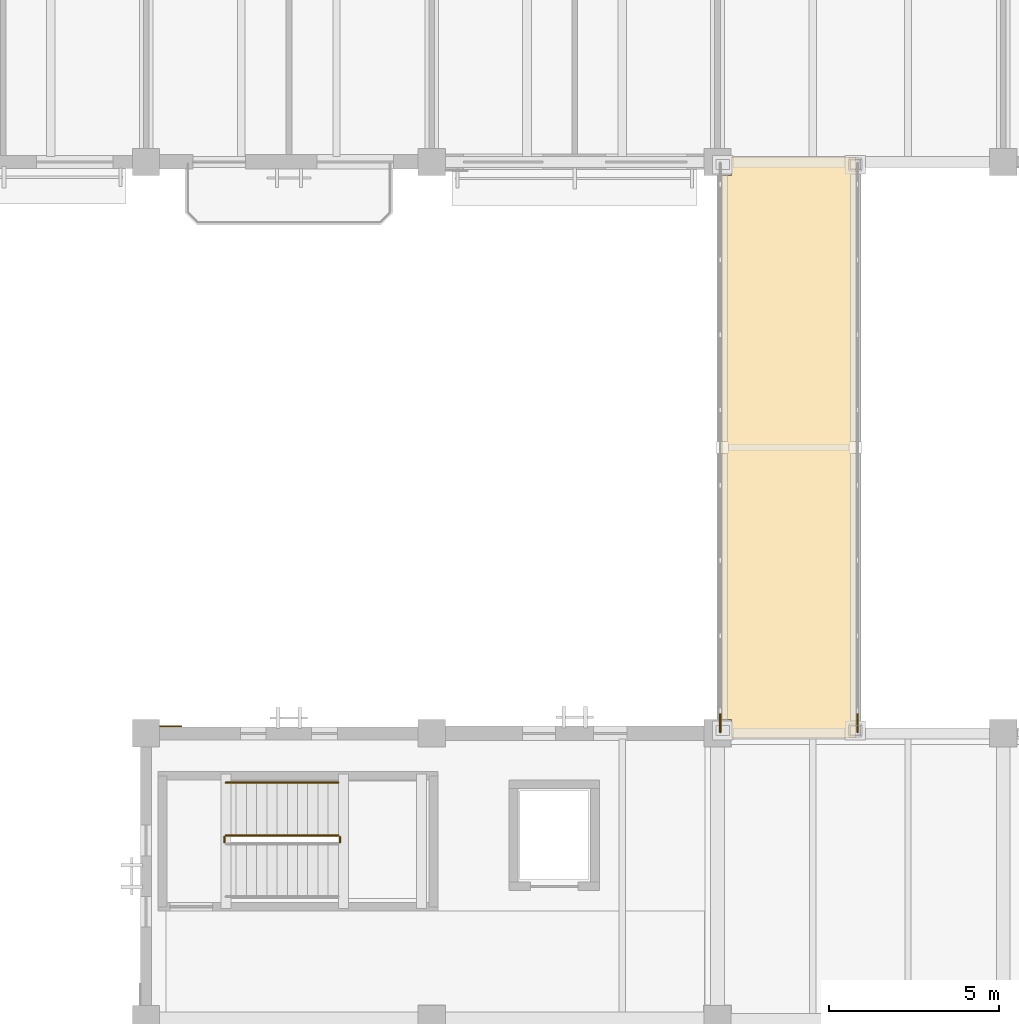
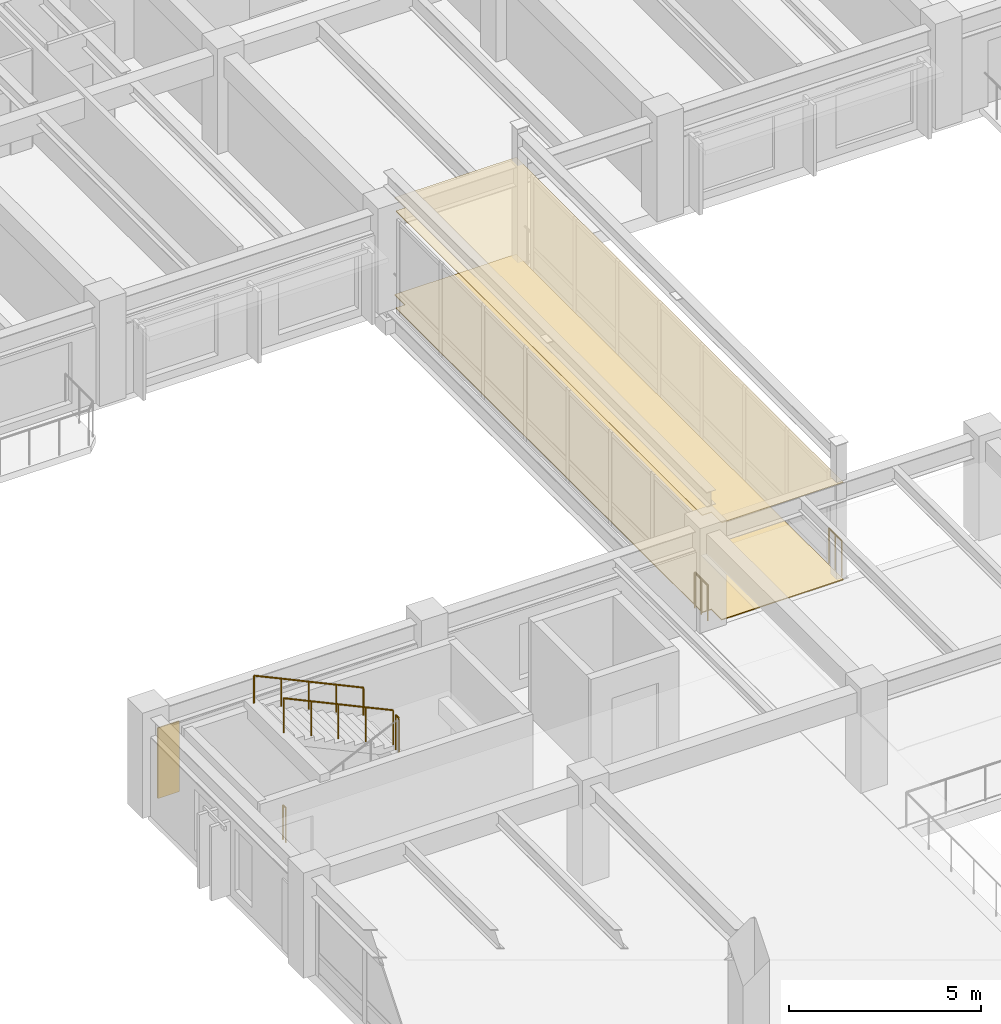
# One storey, part 110 of 123: 6 railings, 3 coverings.
"""IFC4 building model written with IfcOpenShell, lengths in metres."""

from ifc_helpers import new_model, si_unit, direction, frame, origin, origin_2d, place, context, subcontext, project, spatial, polyline, circle, outline, extrude, material, layer, layer_set, type_object, element, save


model = new_model("IFC4")

# Units and contexts
model_context = context("Model", 3, precision=1e-05, world=origin(), true_north=direction((0.0, 1.0)))
body_context = subcontext(model_context, "Body", "Model", "MODEL_VIEW")
ifc_project = project(units=[si_unit("LENGTHUNIT", "METRE"), si_unit("AREAUNIT", "SQUARE_METRE"), si_unit("VOLUMEUNIT", "CUBIC_METRE"), si_unit("PLANEANGLEUNIT", "RADIAN"), si_unit("MASSUNIT", "GRAM", prefix="KILO")], contexts=[model_context])

# Site, building, storey
site_placement = place(None, origin())
site = spatial("IfcSite", under=ifc_project, at=site_placement, CompositionType="ELEMENT")
building_placement = place(site_placement, origin())
building = spatial("IfcBuilding", under=site, at=building_placement, Name="Cumbredor Promenade Congress Hotel", CompositionType="ELEMENT")
storey_placement = place(building_placement, frame((0.0, 0.0, 11.760009765625)))
storey = spatial("IfcBuildingStorey", under=building, at=storey_placement, Name="L03", CompositionType="ELEMENT", Elevation=11.760009765625)

# Covering
ifc_material_1 = material(Name="Acoustic mineral-fiber and gypsum ceiling")
ifc_layer_1 = layer(ifc_material_1, 0.02197265625, Name="Acoustic mineral-fiber and gypsum ceiling")
ifc_layer_set_1 = layer_set([ifc_layer_1], Name="Acoustic mineral-fiber and gypsum ceiling")
covering_type_1 = type_object("IfcCoveringType", Name="Acoustic Perforated Gypsum Ceiling CLG-02 22mm", PredefinedType="CEILING", material=ifc_layer_set_1)
covering_1_placement = place(storey_placement, frame((0.0, 0.0, 3.097900390625)))
element("IfcCovering", 1, at=covering_1_placement, inside=storey, type_object=covering_type_1, Name="L03 West Congress-to-Hotel Glazed Bridge Concourse Acoustic Ceiling", PredefinedType="CEILING", context=body_context, shape_type="SweptSolid", body=[
    extrude(outline(polyline([(25.60498046875, 67.06005859375), (25.60498046875, 67.60498046875), (25.330078125, 67.60498046875), (25.330078125, 83.594970703125), (25.60498046875, 83.594970703125), (25.60498046875, 84.139892578125), (29.27001953125, 84.139892578125), (29.27001953125, 67.06005859375), (25.60498046875, 67.06005859375)])), origin(), (0.0, 0.0, 1.0), 0.02197265625),
])

# Railings
ifc_material_2 = material(Name="Brushed stainless steel", Category="steel")
railing_type_1 = type_object("IfcRailingType", Name="Interior Void & Stair Guardrail GR-1100", PredefinedType="GUARDRAIL", material=ifc_material_2)
railing_1_placement = place(storey_placement, frame((14.10009765625, 64.0, 1.679931640625)))
element("IfcRailing", 2, at=railing_1_placement, inside=storey, type_object=railing_type_1, Name="L03 ST-06 stair guard 2", PredefinedType="GUARDRAIL", context=body_context, shape_type="SweptSolid", body=[
    extrude(circle(Radius=0.02392578125, at=origin_2d()), frame((0.0, 0.0, 1.09619140625), z_axis=(0.0, 1.0, 0.0), x_axis=(-1.0, 0.0, 0.0)), (0.0, 0.0, 1.0), 0.14990234375),
    extrude(circle(Radius=0.02099609375, at=origin_2d()), origin(), (0.0, 0.0, 1.0), 1.072021484375),
    extrude(circle(Radius=0.02099609375, at=origin_2d()), frame((0.0, 0.14990234375, 0.0)), (0.0, 0.0, 1.0), 1.072021484375),
])
railing_2_placement = place(storey_placement, frame((14.050048828125, 64.199951171875, 1.820068359375)))
element("IfcRailing", 3, at=railing_2_placement, inside=storey, type_object=railing_type_1, Name="L03 ST-06 stair guard 3", PredefinedType="GUARDRAIL", context=body_context, shape_type="SweptSolid", body=[
    extrude(circle(Radius=0.02392578125, at=origin_2d()), frame((0.0, 0.0, 1.09619140625), z_axis=(-0.906181427284, 0.0, 0.422889135408), x_axis=(0.0, -1.0, 0.0)), (0.0, 0.0, 1.0), 3.6416015625),
    extrude(circle(Radius=0.02099609375, at=origin_2d()), origin(), (0.0, 0.0, 1.0), 1.072021484375),
    extrude(circle(Radius=0.02099609375, at=origin_2d()), frame((-0.824951171875, 0.0, 0.385009765625)), (0.0, 0.0, 1.0), 1.072021484375),
    extrude(circle(Radius=0.02099609375, at=origin_2d()), frame((-1.64990234375, 0.0, 0.77001953125)), (0.0, 0.0, 1.0), 1.072021484375),
    extrude(circle(Radius=0.02099609375, at=origin_2d()), frame((-2.47509765625, 0.0, 1.155029296875)), (0.0, 0.0, 1.0), 1.072021484375),
    extrude(circle(Radius=0.02099609375, at=origin_2d()), frame((-3.300048828125, 0.0, 1.5400390625)), (0.0, 0.0, 1.0), 1.072021484375),
])
railing_3_placement = place(storey_placement, frame((10.699951171875, 64.0, 0.0)))
element("IfcRailing", 4, at=railing_3_placement, inside=storey, type_object=railing_type_1, Name="L03 ST-06 stair guard 4", PredefinedType="GUARDRAIL", context=body_context, shape_type="SweptSolid", body=[
    extrude(circle(Radius=0.02392578125, at=origin_2d()), frame((0.0, 0.0, 1.09619140625), z_axis=(0.0, 1.0, 0.0), x_axis=(-1.0, 0.0, 0.0)), (0.0, 0.0, 1.0), 0.14990234375),
    extrude(circle(Radius=0.02099609375, at=origin_2d()), origin(), (0.0, 0.0, 1.0), 1.072021484375),
    extrude(circle(Radius=0.02099609375, at=origin_2d()), frame((0.0, 0.14990234375, 0.0)), (0.0, 0.0, 1.0), 1.072021484375),
])

# Covering
ifc_material_3 = material(Name="Porcelain stoneware tile", Category="masonry")
ifc_layer_2 = layer(ifc_material_3, 0.030029296875, Name="Porcelain stoneware tile", Category="masonry")
ifc_layer_set_2 = layer_set([ifc_layer_2], Name="Porcelain stoneware tile")
covering_type_2 = type_object("IfcCoveringType", Name="Porcelain Stoneware Flooring FLR-03 30mm", PredefinedType="FLOORING", material=ifc_layer_set_2)
covering_2_placement = place(storey_placement, origin())
element("IfcCovering", 5, at=covering_2_placement, inside=storey, type_object=covering_type_2, Name="L03 West Congress-to-Hotel Glazed Bridge Concourse Porcelain Flooring", PredefinedType="FLOORING", context=body_context, shape_type="SweptSolid", body=[
    extrude(outline(polyline([(25.60498046875, 67.06005859375), (25.60498046875, 67.60498046875), (25.330078125, 67.60498046875), (25.330078125, 83.594970703125), (25.60498046875, 83.594970703125), (25.60498046875, 84.139892578125), (29.27001953125, 84.139892578125), (29.27001953125, 67.06005859375), (25.60498046875, 67.06005859375)])), origin(), (0.0, 0.0, 1.0), 0.030029296875),
])

# Railings
railing_type_2 = type_object("IfcRailingType", Name="Sky Garden Glass-and-Steel Balustrade BAL-1150", PredefinedType="BALUSTRADE", material=ifc_material_2)
for number, where, name in (
    (6, (25.280029296875, 67.22998046875, 0.0), "L03 West Congress-to-Hotel Glazed Bridge End Guardrail SW"),
    (7, (29.320068359375, 67.22998046875, 0.0), "L03 West Congress-to-Hotel Glazed Bridge End Guardrail SE"),
):
    element("IfcRailing", number, at=place(storey_placement, frame(where)), inside=storey, type_object=railing_type_2, Name=name, PredefinedType="BALUSTRADE", context=body_context, shape_type="SweptSolid", body=[
        extrude(circle(Radius=0.02392578125, at=origin_2d()), frame((0.0, 0.0, 1.1259765625), z_axis=(0.0, 1.0, 0.0), x_axis=(-1.0, 0.0, 0.0)), (0.0, 0.0, 1.0), 0.669921875),
        extrude(circle(Radius=0.02099609375, at=origin_2d()), origin(), (0.0, 0.0, 1.0), 1.101806640625),
        extrude(circle(Radius=0.02099609375, at=origin_2d()), frame((0.0, 0.3349609375, 0.0)), (0.0, 0.0, 1.0), 1.101806640625),
        extrude(circle(Radius=0.02099609375, at=origin_2d()), frame((0.0, 0.669921875, 0.0)), (0.0, 0.0, 1.0), 1.101806640625),
    ])
railing_type_3 = type_object("IfcRailingType", Name="Stair Pitch Handrail HR-900", PredefinedType="HANDRAIL", material=ifc_material_2)
railing_4_placement = place(storey_placement, frame((14.050048828125, 65.75, 1.820068359375)))
element("IfcRailing", 8, at=railing_4_placement, inside=storey, type_object=railing_type_3, Name="L03 ST-06 stair handrail 2", PredefinedType="HANDRAIL", context=body_context, shape_type="SweptSolid", body=[
    extrude(circle(Radius=0.02392578125, at=origin_2d()), frame((0.0, 0.0, 0.8759765625), z_axis=(-0.906181427284, 0.0, 0.422889135408), x_axis=(0.0, -1.0, 0.0)), (0.0, 0.0, 1.0), 3.6416015625),
    extrude(circle(Radius=0.02099609375, at=origin_2d()), origin(), (0.0, 0.0, 1.0), 0.851806640625),
    extrude(circle(Radius=0.02099609375, at=origin_2d()), frame((-0.824951171875, 0.0, 0.385009765625)), (0.0, 0.0, 1.0), 0.851806640625),
    extrude(circle(Radius=0.02099609375, at=origin_2d()), frame((-1.64990234375, 0.0, 0.77001953125)), (0.0, 0.0, 1.0), 0.851806640625),
    extrude(circle(Radius=0.02099609375, at=origin_2d()), frame((-2.47509765625, 0.0, 1.155029296875)), (0.0, 0.0, 1.0), 0.851806640625),
    extrude(circle(Radius=0.02099609375, at=origin_2d()), frame((-3.300048828125, 0.0, 1.5400390625)), (0.0, 0.0, 1.0), 0.851806640625),
])

# Covering
ifc_material_4 = material(Name="Volcanic andesite ashlar cladding", Category="masonry")
ifc_layer_3 = layer(ifc_material_4, 0.034912109375, Name="Volcanic andesite ashlar cladding", Category="masonry")
ifc_layer_set_3 = layer_set([ifc_layer_3], Name="Volcanic andesite ashlar cladding")
covering_type_3 = type_object("IfcCoveringType", Name="Volcanic Andesite Ashlar Rainscreen Cladding 35mm", PredefinedType="CLADDING", material=ifc_layer_set_3)
covering_3_placement = place(storey_placement, origin())
element("IfcCovering", 9, at=covering_3_placement, inside=storey, type_object=covering_type_3, Name="L03 Facade Stone Cladding Pier 135", PredefinedType="CLADDING", context=body_context, shape_type="SweptSolid", body=[
    extrude(outline(polyline([(8.801025390625, 67.389892578125), (9.450927734375, 67.389892578125), (9.450927734375, 67.425048828125), (8.801025390625, 67.425048828125), (8.801025390625, 67.389892578125)])), origin(), (0.0, 0.0, 1.0), 2.25),
])

save(model, "model.ifc")
